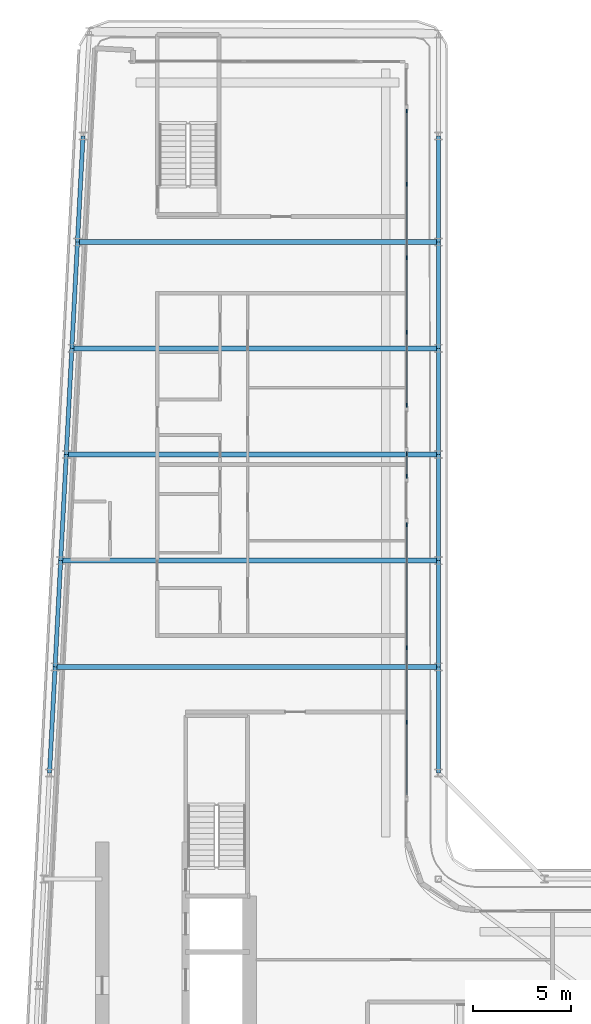
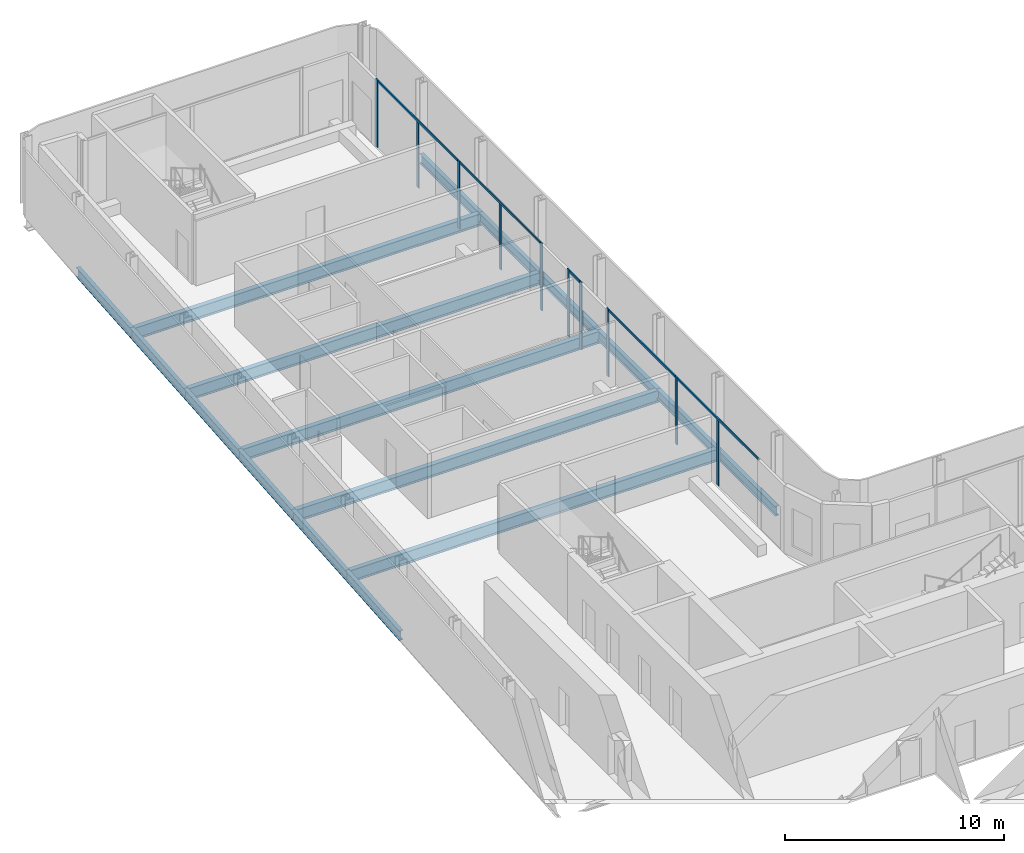
# One storey, part 6 of 21: 17 beams, 15 members, 5 elements without a shape of their own.
"""IFC4 building model written with IfcOpenShell, lengths in metres."""

from ifc_helpers import new_model, si_unit, direction, frame, origin, origin_2d, place, context, subcontext, project, spatial, rectangle, i_section, extrude, material, layer, layer_set, material_profile, profile_set, type_object, element, aggregate, save


model = new_model("IFC4")

# Units and contexts
model_context = context("Model", 3, precision=1e-05, world=origin(), true_north=direction((0.0, 1.0)))
body_context = subcontext(model_context, "Body", "Model", "MODEL_VIEW")
ifc_project = project(units=[si_unit("LENGTHUNIT", "METRE"), si_unit("AREAUNIT", "SQUARE_METRE"), si_unit("VOLUMEUNIT", "CUBIC_METRE"), si_unit("PLANEANGLEUNIT", "RADIAN"), si_unit("MASSUNIT", "GRAM", prefix="KILO")], contexts=[model_context])

# Site, building, storey
site_placement = place(None, origin())
site = spatial("IfcSite", under=ifc_project, at=site_placement, CompositionType="ELEMENT")
building_placement = place(site_placement, origin())
building = spatial("IfcBuilding", under=site, at=building_placement, Name="Kheshtan School and Residences Tower", CompositionType="ELEMENT")
storey_placement = place(building_placement, frame((0.0, 0.0, 220.10009765625)))
storey = spatial("IfcBuildingStorey", under=building, at=storey_placement, Name="L51", CompositionType="ELEMENT", Elevation=220.10009765625)

# Beams
ifc_material_1 = material(Name="Steel ASTM A992 Grade 50", Category="steel")
ifc_material_profile_1 = material_profile(ifc_material_1, i_section(OverallWidth=0.2529296875, OverallDepth=0.677978515625, WebThickness=0.01171875, FlangeThickness=0.016357421875, FilletRadius=0.0146484375, at=origin_2d()), Name="W690x125")
ifc_profile_set_1 = profile_set([ifc_material_profile_1], Name="Steel ASTM A992 Grade 50")
beam_type_1 = type_object("IfcBeamType", Name="Beam FB6 W690x125 ASTM A992 Grade 50", PredefinedType="BEAM", material=ifc_profile_set_1)
beam_1_placement = place(storey_placement, frame((47.60009765625, 72.60009765625, -0.489013671875), z_axis=(-1.0, 0.0, 0.0), x_axis=(0.0, -1.0, 0.0)))
element("IfcBeam", 1, at=beam_1_placement, inside=storey, type_object=beam_type_1, Name="Floor beam C087", PredefinedType="BEAM", context=body_context, shape_type="SweptSolid", body=[
    extrude(i_section(OverallWidth=0.2529296875, OverallDepth=0.677978515625, WebThickness=0.01171875, FlangeThickness=0.016357421875, FilletRadius=0.0146484375, at=origin_2d()), origin(), (0.0, 0.0, 1.0), 18.64208984375),
])
beam_2_placement = place(storey_placement, frame((47.60009765625, 61.800048828125, -0.489013671875), z_axis=(-1.0, 0.0, 0.0), x_axis=(0.0, -1.0, 0.0)))
element("IfcBeam", 2, at=beam_2_placement, inside=storey, type_object=beam_type_1, Name="Floor beam C083", PredefinedType="BEAM", context=body_context, shape_type="SweptSolid", body=[
    extrude(i_section(OverallWidth=0.2529296875, OverallDepth=0.677978515625, WebThickness=0.01171875, FlangeThickness=0.016357421875, FilletRadius=0.0146484375, at=origin_2d()), origin(), (0.0, 0.0, 1.0), 19.210205078125),
])
beam_3_placement = place(storey_placement, frame((28.10595703125, 56.39990234375, -0.489013671875), z_axis=(1.0, 0.0, 0.0), x_axis=(0.0, 1.0, 0.0)))
element("IfcBeam", 3, at=beam_3_placement, inside=storey, type_object=beam_type_1, Name="Floor beam C080", PredefinedType="BEAM", context=body_context, shape_type="SweptSolid", body=[
    extrude(i_section(OverallWidth=0.2529296875, OverallDepth=0.677978515625, WebThickness=0.01171875, FlangeThickness=0.016357421875, FilletRadius=0.0146484375, at=origin_2d()), origin(), (0.0, 0.0, 1.0), 19.494140625),
])
beam_4_placement = place(storey_placement, frame((28.674072265625, 67.199951171875, -0.489013671875), z_axis=(1.0, 0.0, 0.0), x_axis=(0.0, 1.0, 0.0)))
element("IfcBeam", 4, at=beam_4_placement, inside=storey, type_object=beam_type_1, Name="Floor beam C084", PredefinedType="BEAM", context=body_context, shape_type="SweptSolid", body=[
    extrude(i_section(OverallWidth=0.2529296875, OverallDepth=0.677978515625, WebThickness=0.01171875, FlangeThickness=0.016357421875, FilletRadius=0.0146484375, at=origin_2d()), origin(), (0.0, 0.0, 1.0), 18.926025390625),
])
beam_5_placement = place(storey_placement, frame((29.242919921875, 78.0, -0.489013671875), z_axis=(1.0, 0.0, 0.0), x_axis=(0.0, 1.0, 0.0)))
element("IfcBeam", 5, at=beam_5_placement, inside=storey, type_object=beam_type_1, Name="Floor beam C088", PredefinedType="BEAM", context=body_context, shape_type="SweptSolid", body=[
    extrude(i_section(OverallWidth=0.2529296875, OverallDepth=0.677978515625, WebThickness=0.01171875, FlangeThickness=0.016357421875, FilletRadius=0.0146484375, at=origin_2d()), origin(), (0.0, 0.0, 1.0), 18.357177734375),
])
ifc_material_profile_2 = material_profile(ifc_material_1, i_section(OverallWidth=0.208984375, OverallDepth=0.532958984375, WebThickness=0.01025390625, FlangeThickness=0.015625, FilletRadius=0.013916015625, at=origin_2d()), Name="W530x92")
ifc_profile_set_2 = profile_set([ifc_material_profile_2], Name="Steel ASTM A992 Grade 50")
beam_type_2 = type_object("IfcBeamType", Name="Beam SP3 W530x92 ASTM A992 Grade 50", PredefinedType="BEAM", material=ifc_profile_set_2)
for number, where, z_axis, x_axis, name in (
    (6, (47.60009765625, 83.39990234375, -0.41650390625), (0.0, -1.0, 0.0), (1.0, 0.0, 0.0), "Spandrel beam C091-C089"),
    (7, (47.60009765625, 78.0, -0.41650390625), (0.0, -1.0, 0.0), (1.0, 0.0, 0.0), "Spandrel beam C089-C087"),
):
    element("IfcBeam", number, at=place(storey_placement, frame(where, z_axis=z_axis, x_axis=x_axis)), inside=storey, type_object=beam_type_2, Name=name, PredefinedType="BEAM", context=body_context, shape_type="SweptSolid", body=[
        extrude(i_section(OverallWidth=0.208984375, OverallDepth=0.532958984375, WebThickness=0.01025390625, FlangeThickness=0.015625, FilletRadius=0.013916015625, at=origin_2d()), origin(), (0.0, 0.0, 1.0), 5.39990234375),
    ])
beam_6_placement = place(storey_placement, frame((47.60009765625, 72.60009765625, -0.41650390625), z_axis=(0.0, -1.0, 0.0), x_axis=(1.0, 0.0, 0.0)))
element("IfcBeam", 8, at=beam_6_placement, inside=storey, type_object=beam_type_2, Name="Spandrel beam C087-C085", PredefinedType="BEAM", context=body_context, shape_type="SweptSolid", body=[
    extrude(i_section(OverallWidth=0.208984375, OverallDepth=0.532958984375, WebThickness=0.01025390625, FlangeThickness=0.015625, FilletRadius=0.013916015625, at=origin_2d()), origin(), (0.0, 0.0, 1.0), 5.400146484375),
])
beam_7_placement = place(storey_placement, frame((47.60009765625, 67.199951171875, -0.41650390625), z_axis=(0.0, -1.0, 0.0), x_axis=(1.0, 0.0, 0.0)))
element("IfcBeam", 9, at=beam_7_placement, inside=storey, type_object=beam_type_2, Name="Spandrel beam C085-C083", PredefinedType="BEAM", context=body_context, shape_type="SweptSolid", body=[
    extrude(i_section(OverallWidth=0.208984375, OverallDepth=0.532958984375, WebThickness=0.01025390625, FlangeThickness=0.015625, FilletRadius=0.013916015625, at=origin_2d()), origin(), (0.0, 0.0, 1.0), 5.39990234375),
])
beam_8_placement = place(storey_placement, frame((47.60009765625, 61.800048828125, -0.41650390625), z_axis=(0.0, -1.0, 0.0), x_axis=(1.0, 0.0, 0.0)))
element("IfcBeam", 10, at=beam_8_placement, inside=storey, type_object=beam_type_2, Name="Spandrel beam C083-C081", PredefinedType="BEAM", context=body_context, shape_type="SweptSolid", body=[
    extrude(i_section(OverallWidth=0.208984375, OverallDepth=0.532958984375, WebThickness=0.01025390625, FlangeThickness=0.015625, FilletRadius=0.013916015625, at=origin_2d()), origin(), (0.0, 0.0, 1.0), 5.400146484375),
])
beam_9_placement = place(storey_placement, frame((47.60009765625, 56.39990234375, -0.41650390625), z_axis=(0.0, -1.0, 0.0), x_axis=(1.0, 0.0, 0.0)))
element("IfcBeam", 11, at=beam_9_placement, inside=storey, type_object=beam_type_2, Name="Spandrel beam C081-C079", PredefinedType="BEAM", context=body_context, shape_type="SweptSolid", body=[
    extrude(i_section(OverallWidth=0.208984375, OverallDepth=0.532958984375, WebThickness=0.01025390625, FlangeThickness=0.015625, FilletRadius=0.013916015625, at=origin_2d()), origin(), (0.0, 0.0, 1.0), 5.39990234375),
])
beam_10_placement = place(storey_placement, frame((27.822021484375, 51.0, -0.41650390625), z_axis=(0.05250906864, 0.998620447272, 0.0), x_axis=(-0.998620447272, 0.05250906864, 0.0)))
element("IfcBeam", 12, at=beam_10_placement, inside=storey, type_object=beam_type_2, Name="Spandrel beam C078-C080", PredefinedType="BEAM", context=body_context, shape_type="SweptSolid", body=[
    extrude(i_section(OverallWidth=0.208984375, OverallDepth=0.532958984375, WebThickness=0.01025390625, FlangeThickness=0.015625, FilletRadius=0.013916015625, at=origin_2d()), origin(), (0.0, 0.0, 1.0), 5.407470703125),
])
beam_11_placement = place(storey_placement, frame((28.10595703125, 56.39990234375, -0.41650390625), z_axis=(0.05250670125, 0.998620571751, 0.0), x_axis=(-0.998620571751, 0.05250670125, 0.0)))
element("IfcBeam", 13, at=beam_11_placement, inside=storey, type_object=beam_type_2, Name="Spandrel beam C080-C082", PredefinedType="BEAM", context=body_context, shape_type="SweptSolid", body=[
    extrude(i_section(OverallWidth=0.208984375, OverallDepth=0.532958984375, WebThickness=0.01025390625, FlangeThickness=0.015625, FilletRadius=0.013916015625, at=origin_2d()), origin(), (0.0, 0.0, 1.0), 5.40771484375),
])
beam_12_placement = place(storey_placement, frame((28.389892578125, 61.800048828125, -0.41650390625), z_axis=(0.052554093665, 0.998618078766, 0.0), x_axis=(-0.998618078766, 0.052554093665, 0.0)))
element("IfcBeam", 14, at=beam_12_placement, inside=storey, type_object=beam_type_2, Name="Spandrel beam C082-C084", PredefinedType="BEAM", context=body_context, shape_type="SweptSolid", body=[
    extrude(i_section(OverallWidth=0.208984375, OverallDepth=0.532958984375, WebThickness=0.01025390625, FlangeThickness=0.015625, FilletRadius=0.013916015625, at=origin_2d()), origin(), (0.0, 0.0, 1.0), 5.407470703125),
])
beam_13_placement = place(storey_placement, frame((28.674072265625, 67.199951171875, -0.41650390625), z_axis=(0.05250670125, 0.998620571751, 0.0), x_axis=(-0.998620571751, 0.05250670125, 0.0)))
element("IfcBeam", 15, at=beam_13_placement, inside=storey, type_object=beam_type_2, Name="Spandrel beam C084-C086", PredefinedType="BEAM", context=body_context, shape_type="SweptSolid", body=[
    extrude(i_section(OverallWidth=0.208984375, OverallDepth=0.532958984375, WebThickness=0.01025390625, FlangeThickness=0.015625, FilletRadius=0.013916015625, at=origin_2d()), origin(), (0.0, 0.0, 1.0), 5.40771484375),
])
for number, where, z_axis, x_axis, name in (
    (16, (28.9580078125, 72.60009765625, -0.41650390625), (0.052689166816, 0.998610961136, 0.0), (-0.998610961136, 0.052689166816, 0.0), "Spandrel beam C086-C088"),
    (17, (29.242919921875, 78.0, -0.41650390625), (0.052554093665, 0.998618078766, 0.0), (-0.998618078766, 0.052554093665, 0.0), "Spandrel beam C088-C090"),
):
    element("IfcBeam", number, at=place(storey_placement, frame(where, z_axis=z_axis, x_axis=x_axis)), inside=storey, type_object=beam_type_2, Name=name, PredefinedType="BEAM", context=body_context, shape_type="SweptSolid", body=[
        extrude(i_section(OverallWidth=0.208984375, OverallDepth=0.532958984375, WebThickness=0.01025390625, FlangeThickness=0.015625, FilletRadius=0.013916015625, at=origin_2d()), origin(), (0.0, 0.0, 1.0), 5.407470703125),
    ])

# Curtain wall, members
ifc_material_2 = material(Name="Clear low-e glass in thermally broken aluminium frame", Category="aluminium")
ifc_layer = layer(ifc_material_2, 0.199951171875)
ifc_layer_set = layer_set([ifc_layer], Name="Curtain wall CW-L")
curtain_wall_type = type_object("IfcCurtainWallType", Name="Curtain wall CW-L", PredefinedType="NOTDEFINED", material=ifc_layer_set)
curtain_wall_1_placement = place(storey_placement, origin())
curtain_wall_1 = element("IfcCurtainWall", 18, at=curtain_wall_1_placement, inside=storey, type_object=curtain_wall_type, Name="Curtain wall CWL4a", PredefinedType="NOTDEFINED")
ifc_material_3 = material(Name="Thermally broken aluminium, dark bronze anodised", Category="aluminium")
ifc_material_profile_3 = material_profile(ifc_material_3, rectangle(XDim=0.06005859375, YDim=0.199951171875, at=origin_2d()), Name="CW-L mullion 60x200")
ifc_profile_set_3 = profile_set([ifc_material_profile_3], Name="Thermally broken aluminium, dark bronze anodised")
member_type_1 = type_object("IfcMemberType", Name="CW-L mullion 60x200", PredefinedType="MULLION", material=ifc_profile_set_3)
member_1_placement = place(storey_placement, frame((46.0, 84.669921875, 0.0), z_axis=(0.0, 0.0, 1.0), x_axis=(1.0, 0.0, 0.0)))
member_1 = element("IfcMember", 19, at=member_1_placement, type_object=member_type_1, Name="CWL4a mullion 1", PredefinedType="MULLION", context=body_context, shape_type="SweptSolid", body=[
    extrude(rectangle(XDim=0.06005859375, YDim=0.199951171875, at=origin_2d()), origin(), (0.0, 0.0, 1.0), 3.75),
])
member_2_placement = place(storey_placement, frame((46.0, 80.941162109375, 0.0), z_axis=(0.0, 0.0, 1.0), x_axis=(1.0, 0.0, 0.0)))
member_2 = element("IfcMember", 20, at=member_2_placement, type_object=member_type_1, Name="CWL4a mullion 2", PredefinedType="MULLION", context=body_context, shape_type="SweptSolid", body=[
    extrude(rectangle(XDim=0.06005859375, YDim=0.199951171875, at=origin_2d()), origin(), (0.0, 0.0, 1.0), 3.6298828125),
])
member_3_placement = place(storey_placement, frame((46.0, 77.21240234375, 0.0), z_axis=(0.0, 0.0, 1.0), x_axis=(1.0, 0.0, 0.0)))
member_3 = element("IfcMember", 21, at=member_3_placement, type_object=member_type_1, Name="CWL4a mullion 3", PredefinedType="MULLION", context=body_context, shape_type="SweptSolid", body=[
    extrude(rectangle(XDim=0.06005859375, YDim=0.199951171875, at=origin_2d()), origin(), (0.0, 0.0, 1.0), 3.75),
])

curtain_wall_2_placement = place(storey_placement, origin())
curtain_wall_2 = element("IfcCurtainWall", 22, at=curtain_wall_2_placement, inside=storey, type_object=curtain_wall_type, Name="Curtain wall CWL4a", PredefinedType="NOTDEFINED")
member_4_placement = place(storey_placement, frame((46.0, 73.423828125, 0.0), z_axis=(0.0, 0.0, 1.0), x_axis=(1.0, 0.0, 0.0)))
member_4 = element("IfcMember", 23, at=member_4_placement, type_object=member_type_1, Name="CWL4a mullion 2", PredefinedType="MULLION", context=body_context, shape_type="SweptSolid", body=[
    extrude(rectangle(XDim=0.06005859375, YDim=0.199951171875, at=origin_2d()), origin(), (0.0, 0.0, 1.0), 3.6298828125),
])
member_5_placement = place(storey_placement, frame((46.0, 69.695068359375, 0.0), z_axis=(0.0, 0.0, 1.0), x_axis=(1.0, 0.0, 0.0)))
member_5 = element("IfcMember", 24, at=member_5_placement, type_object=member_type_1, Name="CWL4a mullion 3", PredefinedType="MULLION", context=body_context, shape_type="SweptSolid", body=[
    extrude(rectangle(XDim=0.06005859375, YDim=0.199951171875, at=origin_2d()), origin(), (0.0, 0.0, 1.0), 3.75),
])

curtain_wall_3_placement = place(storey_placement, origin())
curtain_wall_3 = element("IfcCurtainWall", 25, at=curtain_wall_3_placement, inside=storey, type_object=curtain_wall_type, Name="Curtain wall CWL4h", PredefinedType="NOTDEFINED")
member_6_placement = place(storey_placement, frame((46.0, 67.235107421875, 0.0), z_axis=(0.0, 0.0, 1.0), x_axis=(1.0, 0.0, 0.0)))
member_6 = element("IfcMember", 26, at=member_6_placement, type_object=member_type_1, Name="CWL4h mullion 1", PredefinedType="MULLION", context=body_context, shape_type="SweptSolid", body=[
    extrude(rectangle(XDim=0.06005859375, YDim=0.199951171875, at=origin_2d()), origin(), (0.0, 0.0, 1.0), 3.75),
])
member_7_placement = place(storey_placement, frame((46.0, 66.094970703125, 0.0), z_axis=(0.0, 0.0, 1.0), x_axis=(1.0, 0.0, 0.0)))
member_7 = element("IfcMember", 27, at=member_7_placement, type_object=member_type_1, Name="CWL4h mullion 2", PredefinedType="MULLION", context=body_context, shape_type="SweptSolid", body=[
    extrude(rectangle(XDim=0.06005859375, YDim=0.199951171875, at=origin_2d()), origin(), (0.0, 0.0, 1.0), 3.75),
])

curtain_wall_4_placement = place(storey_placement, origin())
curtain_wall_4 = element("IfcCurtainWall", 28, at=curtain_wall_4_placement, inside=storey, type_object=curtain_wall_type, Name="Curtain wall CWL4i", PredefinedType="NOTDEFINED")
member_8_placement = place(storey_placement, frame((46.0, 63.635009765625, 0.0), z_axis=(0.0, 0.0, 1.0), x_axis=(1.0, 0.0, 0.0)))
member_8 = element("IfcMember", 29, at=member_8_placement, type_object=member_type_1, Name="CWL4i mullion 1", PredefinedType="MULLION", context=body_context, shape_type="SweptSolid", body=[
    extrude(rectangle(XDim=0.06005859375, YDim=0.199951171875, at=origin_2d()), origin(), (0.0, 0.0, 1.0), 3.75),
])
member_9_placement = place(storey_placement, frame((46.0, 57.37744140625, 0.0), z_axis=(0.0, 0.0, 1.0), x_axis=(1.0, 0.0, 0.0)))
member_9 = element("IfcMember", 30, at=member_9_placement, type_object=member_type_1, Name="CWL4i mullion 2", PredefinedType="MULLION", context=body_context, shape_type="SweptSolid", body=[
    extrude(rectangle(XDim=0.06005859375, YDim=0.199951171875, at=origin_2d()), origin(), (0.0, 0.0, 1.0), 3.75),
])

# Curtain wall, member
curtain_wall_5_placement = place(storey_placement, origin())
curtain_wall_5 = element("IfcCurtainWall", 31, at=curtain_wall_5_placement, inside=storey, type_object=curtain_wall_type, Name="Curtain wall CWL4a", PredefinedType="NOTDEFINED")
member_10_placement = place(storey_placement, frame((46.0, 53.5888671875, 0.0), z_axis=(0.0, 0.0, 1.0), x_axis=(1.0, 0.0, 0.0)))
member_10 = element("IfcMember", 32, at=member_10_placement, type_object=member_type_1, Name="CWL4a mullion 2", PredefinedType="MULLION", context=body_context, shape_type="SweptSolid", body=[
    extrude(rectangle(XDim=0.06005859375, YDim=0.199951171875, at=origin_2d()), origin(), (0.0, 0.0, 1.0), 3.6298828125),
])

# Member
ifc_material_profile_4 = material_profile(ifc_material_3, rectangle(XDim=0.06005859375, YDim=0.1201171875, at=origin_2d()), Name="CW-L transom 60x120")
ifc_profile_set_4 = profile_set([ifc_material_profile_4], Name="Thermally broken aluminium, dark bronze anodised")
member_type_2 = type_object("IfcMemberType", Name="CW-L transom 60x120", PredefinedType="USERDEFINED", material=ifc_profile_set_4)
member_11_placement = place(storey_placement, frame((46.0, 84.639892578125, 3.68994140625), z_axis=(0.0, -1.0, 0.0), x_axis=(1.0, 0.0, 0.0)))
member_11 = element("IfcMember", 33, at=member_11_placement, type_object=member_type_2, Name="CWL4a transom 1", ObjectType="TRANSOM", PredefinedType="USERDEFINED", context=body_context, shape_type="SweptSolid", body=[
    extrude(rectangle(XDim=0.06005859375, YDim=0.1201171875, at=origin_2d()), origin(), (0.0, 0.0, 1.0), 7.3974609375),
])

aggregate(curtain_wall_1, [member_1, member_2, member_3, member_11])

member_12_placement = place(storey_placement, frame((46.0, 77.1826171875, 3.68994140625), z_axis=(0.0, -1.0, 0.0), x_axis=(1.0, 0.0, 0.0)))
member_12 = element("IfcMember", 34, at=member_12_placement, type_object=member_type_2, Name="CWL4a transom 1", ObjectType="TRANSOM", PredefinedType="USERDEFINED", context=body_context, shape_type="SweptSolid", body=[
    extrude(rectangle(XDim=0.06005859375, YDim=0.1201171875, at=origin_2d()), origin(), (0.0, 0.0, 1.0), 7.45751953125),
])

aggregate(curtain_wall_2, [member_4, member_5, member_12])

member_13_placement = place(storey_placement, frame((46.0, 67.205078125, 3.68994140625), z_axis=(0.0, -1.0, 0.0), x_axis=(1.0, 0.0, 0.0)))
member_13 = element("IfcMember", 35, at=member_13_placement, type_object=member_type_2, Name="CWL4h transom 1", ObjectType="TRANSOM", PredefinedType="USERDEFINED", context=body_context, shape_type="SweptSolid", body=[
    extrude(rectangle(XDim=0.06005859375, YDim=0.1201171875, at=origin_2d()), origin(), (0.0, 0.0, 1.0), 1.080078125),
])

aggregate(curtain_wall_3, [member_6, member_7, member_13])

member_14_placement = place(storey_placement, frame((46.0, 63.60498046875, 3.68994140625), z_axis=(0.0, -1.0, 0.0), x_axis=(1.0, 0.0, 0.0)))
member_14 = element("IfcMember", 36, at=member_14_placement, type_object=member_type_2, Name="CWL4i transom 1", ObjectType="TRANSOM", PredefinedType="USERDEFINED", context=body_context, shape_type="SweptSolid", body=[
    extrude(rectangle(XDim=0.06005859375, YDim=0.1201171875, at=origin_2d()), origin(), (0.0, 0.0, 1.0), 6.197509765625),
])

aggregate(curtain_wall_4, [member_8, member_9, member_14])

member_15_placement = place(storey_placement, frame((46.0, 57.347412109375, 3.68994140625), z_axis=(0.0, -1.0, 0.0), x_axis=(1.0, 0.0, 0.0)))
member_15 = element("IfcMember", 37, at=member_15_placement, type_object=member_type_2, Name="CWL4a transom 1", ObjectType="TRANSOM", PredefinedType="USERDEFINED", context=body_context, shape_type="SweptSolid", body=[
    extrude(rectangle(XDim=0.06005859375, YDim=0.1201171875, at=origin_2d()), origin(), (0.0, 0.0, 1.0), 7.45751953125),
])

aggregate(curtain_wall_5, [member_10, member_15])

save(model, "model.ifc")
